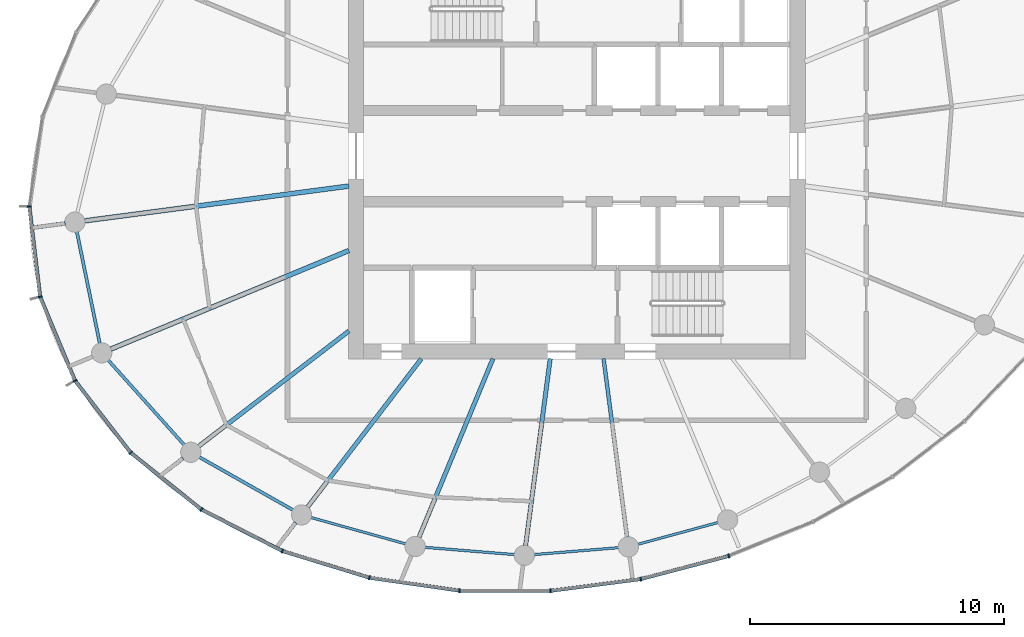
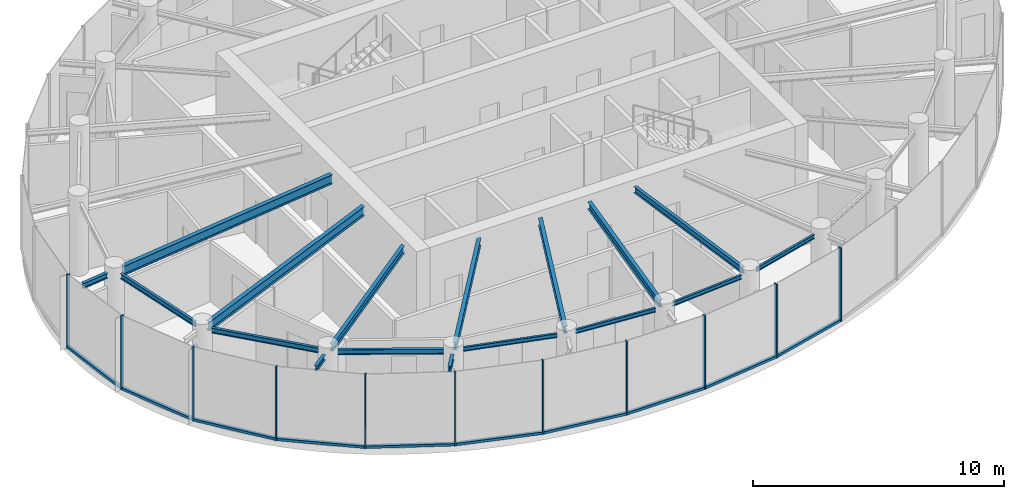
# One storey, part 2 of 13: 21 members, 17 beams, 3 elements without a shape of their own.
"""IFC4 building model written with IfcOpenShell, lengths in metres."""

from ifc_helpers import new_model, si_unit, direction, frame, origin, origin_2d, place, context, subcontext, project, spatial, rectangle, i_section, extrude, source, transform, mapped, material, layer, layer_set, material_profile, profile_set, type_object, element, aggregate, save


model = new_model("IFC4")

# Units and contexts
model_context = context("Model", 3, precision=1e-05, world=origin(), true_north=direction((0.0, 1.0)))
body_context = subcontext(model_context, "Body", "Model", "MODEL_VIEW")
ifc_project = project(units=[si_unit("LENGTHUNIT", "METRE"), si_unit("AREAUNIT", "SQUARE_METRE"), si_unit("VOLUMEUNIT", "CUBIC_METRE"), si_unit("PLANEANGLEUNIT", "RADIAN"), si_unit("MASSUNIT", "GRAM", prefix="KILO")], contexts=[model_context])

# Site, building, storey
site_placement = place(None, origin())
site = spatial("IfcSite", under=ifc_project, at=site_placement, CompositionType="ELEMENT")
building_placement = place(site_placement, origin())
building = spatial("IfcBuilding", under=site, at=building_placement, Name="Spindrift Exchange Tower", CompositionType="ELEMENT")
storey_placement = place(building_placement, frame((0.0, 0.0, 257.89990234375)))
storey = spatial("IfcBuildingStorey", under=building, at=storey_placement, Name="L63", CompositionType="ELEMENT", Elevation=257.89990234375)

# Beams
ifc_material_1 = material(Name="Steel Grade 300", Category="steel")
ifc_material_profile_1 = material_profile(ifc_material_1, i_section(OverallWidth=0.18994140625, OverallDepth=0.4541015625, WebThickness=0.008544921875, FlangeThickness=0.0126953125, FilletRadius=0.013916015625, at=origin_2d()), Name="460UB67.1")
ifc_profile_set_1 = profile_set([ifc_material_profile_1], Name="Steel Grade 300")
beam_type_1 = type_object("IfcBeamType", Name="Floor Beam 460UB67.1 Steel Grade 300", PredefinedType="BEAM", material=ifc_profile_set_1)
shared_shape_1 = source(origin(), body_context, "Body", "SweptSolid", [
    extrude(i_section(OverallWidth=0.18994140625, OverallDepth=0.4541015625, WebThickness=0.008544921875, FlangeThickness=0.0126953125, FilletRadius=0.013916015625, at=origin_2d()), origin(), (0.0, 0.0, 1.0), 10.510009765625),
])
beam_1_placement = place(storey_placement, frame((43.019775390625, 46.817626953125, 3.35302734375), z_axis=(-0.991445042488, -0.130524816516, 0.0), x_axis=(0.130524816516, -0.991445042488, 0.0)))
element("IfcBeam", 1, at=beam_1_placement, inside=storey, type_object=beam_type_1, Name="L63 radial beam R13A", PredefinedType="BEAM", context=body_context, shape_type="MappedRepresentation", body=[
    mapped(shared_shape_1, transform((0.0, 0.0, 0.0), scale=1.0)),
])
shared_shape_2 = source(origin(), body_context, "Body", "SweptSolid", [
    extrude(i_section(OverallWidth=0.18994140625, OverallDepth=0.4541015625, WebThickness=0.008544921875, FlangeThickness=0.0126953125, FilletRadius=0.013916015625, at=origin_2d()), origin(), (0.0, 0.0, 1.0), 10.160400390625),
])
beam_2_placement = place(storey_placement, frame((43.0185546875, 44.27978515625, 3.35302734375), z_axis=(-0.923880358773, -0.382681437588, 0.0), x_axis=(0.382681437588, -0.923880358773, 0.0)))
element("IfcBeam", 2, at=beam_2_placement, inside=storey, type_object=beam_type_1, Name="L63 radial beam R14A", PredefinedType="BEAM", context=body_context, shape_type="MappedRepresentation", body=[
    mapped(shared_shape_2, transform((0.0, 0.0, 0.0), scale=1.0)),
])
ifc_material_profile_2 = material_profile(ifc_material_1, i_section(OverallWidth=0.1708984375, OverallDepth=0.35205078125, WebThickness=0.0068359375, FlangeThickness=0.009765625, FilletRadius=0.013916015625, at=origin_2d()), Name="360UB44.7")
ifc_profile_set_2 = profile_set([ifc_material_profile_2], Name="Steel Grade 300")
beam_type_2 = type_object("IfcBeamType", Name="Floor Beam 360UB44.7 Steel Grade 300", PredefinedType="BEAM", material=ifc_profile_set_2)
shared_shape_3 = source(origin(), body_context, "Body", "SweptSolid", [
    extrude(i_section(OverallWidth=0.1708984375, OverallDepth=0.35205078125, WebThickness=0.0068359375, FlangeThickness=0.009765625, FilletRadius=0.013916015625, at=origin_2d()), origin(), (0.0, 0.0, 1.0), 7.466796875),
])
beam_3_placement = place(storey_placement, frame((43.015869140625, 41.106201171875, 3.404052734375), z_axis=(-0.793360004804, -0.608752743548, 0.0), x_axis=(0.608752743548, -0.793360004804, 0.0)))
element("IfcBeam", 3, at=beam_3_placement, inside=storey, type_object=beam_type_2, Name="L63 radial beam R15A", PredefinedType="BEAM", context=body_context, shape_type="MappedRepresentation", body=[
    mapped(shared_shape_3, transform((0.0, 0.0, 0.0), scale=1.0)),
])
shared_shape_4 = source(origin(), body_context, "Body", "SweptSolid", [
    extrude(i_section(OverallWidth=0.1708984375, OverallDepth=0.35205078125, WebThickness=0.0068359375, FlangeThickness=0.009765625, FilletRadius=0.013916015625, at=origin_2d()), origin(), (0.0, 0.0, 1.0), 7.3740234375),
])
beam_4_placement = place(storey_placement, frame((45.87353515625, 40.015869140625, 3.404052734375), z_axis=(-0.608751913917, -0.793360641387, 0.0), x_axis=(0.793360641387, -0.608751913917, 0.0)))
element("IfcBeam", 4, at=beam_4_placement, inside=storey, type_object=beam_type_2, Name="L63 radial beam R16A", PredefinedType="BEAM", context=body_context, shape_type="MappedRepresentation", body=[
    mapped(shared_shape_4, transform((0.0, 0.0, 0.0), scale=1.0)),
])
shared_shape_5 = source(origin(), body_context, "Body", "SweptSolid", [
    extrude(i_section(OverallWidth=0.1708984375, OverallDepth=0.35205078125, WebThickness=0.0068359375, FlangeThickness=0.009765625, FilletRadius=0.013916015625, at=origin_2d()), origin(), (0.0, 0.0, 1.0), 7.630859375),
])
beam_5_placement = place(storey_placement, frame((48.69384765625, 40.0185546875, 3.404052734375), z_axis=(-0.382676740702, -0.92388230426, 0.0), x_axis=(0.92388230426, -0.382676740702, 0.0)))
element("IfcBeam", 5, at=beam_5_placement, inside=storey, type_object=beam_type_2, Name="L63 radial beam R17A", PredefinedType="BEAM", context=body_context, shape_type="MappedRepresentation", body=[
    mapped(shared_shape_5, transform((0.0, 0.0, 0.0), scale=1.0)),
])
shared_shape_6 = source(origin(), body_context, "Body", "SweptSolid", [
    extrude(i_section(OverallWidth=0.1708984375, OverallDepth=0.35205078125, WebThickness=0.0068359375, FlangeThickness=0.009765625, FilletRadius=0.013916015625, at=origin_2d()), origin(), (0.0, 0.0, 1.0), 7.43798828125),
])
beam_6_placement = place(storey_placement, frame((50.949462890625, 40.019775390625, 3.404052734375), z_axis=(-0.130540269579, -0.991443007953, 0.0), x_axis=(0.991443007953, -0.130540269579, 0.0)))
element("IfcBeam", 6, at=beam_6_placement, inside=storey, type_object=beam_type_2, Name="L63 radial beam R18A", PredefinedType="BEAM", context=body_context, shape_type="MappedRepresentation", body=[
    mapped(shared_shape_6, transform((0.0, 0.0, 0.0), scale=1.0)),
])
ifc_material_profile_3 = material_profile(ifc_material_1, i_section(OverallWidth=0.14892578125, OverallDepth=0.298095703125, WebThickness=0.005615234375, FlangeThickness=0.008056640625, FilletRadius=0.012939453125, at=origin_2d()), Name="310UB32.0")
ifc_profile_set_3 = profile_set([ifc_material_profile_3], Name="Steel Grade 300")
beam_type_3 = type_object("IfcBeamType", Name="Floor Beam 310UB32.0 Steel Grade 300", PredefinedType="BEAM", material=ifc_profile_set_3)
shared_shape_7 = source(origin(), body_context, "Body", "SweptSolid", [
    extrude(i_section(OverallWidth=0.14892578125, OverallDepth=0.298095703125, WebThickness=0.005615234375, FlangeThickness=0.008056640625, FilletRadius=0.012939453125, at=origin_2d()), origin(), (0.0, 0.0, 1.0), 7.099853515625),
])
beam_7_placement = place(storey_placement, frame((53.050537109375, 40.019775390625, 3.43115234375), z_axis=(0.130532789835, -0.991443992759, 0.0), x_axis=(0.991443992759, 0.130532789835, 0.0)))
element("IfcBeam", 7, at=beam_7_placement, inside=storey, type_object=beam_type_3, Name="L63 radial beam R19A", PredefinedType="BEAM", context=body_context, shape_type="MappedRepresentation", body=[
    mapped(shared_shape_7, transform((0.0, 0.0, 0.0), scale=1.0)),
])
ifc_material_profile_4 = material_profile(ifc_material_1, i_section(OverallWidth=0.1240234375, OverallDepth=0.248046875, WebThickness=0.0048828125, FlangeThickness=0.008056640625, FilletRadius=0.011962890625, at=origin_2d()), Name="250UB25.7")
ifc_profile_set_4 = profile_set([ifc_material_profile_4], Name="Steel Grade 300")
beam_type_4 = type_object("IfcBeamType", Name="Edge Beam 250UB25.7 Steel Grade 300", PredefinedType="SPANDREL", material=ifc_profile_set_4)
shared_shape_8 = source(origin(), body_context, "Body", "SweptSolid", [
    extrude(i_section(OverallWidth=0.1240234375, OverallDepth=0.248046875, WebThickness=0.0048828125, FlangeThickness=0.008056640625, FilletRadius=0.011962890625, at=origin_2d()), origin(), (0.0, 0.0, 1.0), 4.497802734375),
])
beam_8_placement = place(storey_placement, frame((32.299072265625, 45.024169921875, 3.4560546875), z_axis=(0.201217935785, -0.979546498293, 0.0), x_axis=(0.979546498293, 0.201217935785, 0.0)))
element("IfcBeam", 8, at=beam_8_placement, inside=storey, type_object=beam_type_4, Name="L63 edge beam E13", PredefinedType="SPANDREL", context=body_context, shape_type="MappedRepresentation", body=[
    mapped(shared_shape_8, transform((0.0, 0.0, 0.0), scale=1.0)),
])
shared_shape_9 = source(origin(), body_context, "Body", "SweptSolid", [
    extrude(i_section(OverallWidth=0.1240234375, OverallDepth=0.248046875, WebThickness=0.0048828125, FlangeThickness=0.008056640625, FilletRadius=0.011962890625, at=origin_2d()), origin(), (0.0, 0.0, 1.0), 4.499755859375),
])
beam_9_placement = place(storey_placement, frame((33.533935546875, 39.963134765625, 3.4560546875), z_axis=(0.667419502646, -0.744681950558, 0.0), x_axis=(0.744681950558, 0.667419502646, 0.0)))
element("IfcBeam", 9, at=beam_9_placement, inside=storey, type_object=beam_type_4, Name="L63 edge beam E14", PredefinedType="SPANDREL", context=body_context, shape_type="MappedRepresentation", body=[
    mapped(shared_shape_9, transform((0.0, 0.0, 0.0), scale=1.0)),
])
shared_shape_10 = source(origin(), body_context, "Body", "SweptSolid", [
    extrude(i_section(OverallWidth=0.1240234375, OverallDepth=0.248046875, WebThickness=0.0048828125, FlangeThickness=0.008056640625, FilletRadius=0.011962890625, at=origin_2d()), origin(), (0.0, 0.0, 1.0), 4.2509765625),
])
beam_10_placement = place(storey_placement, frame((37.121337890625, 36.142333984375, 3.4560546875), z_axis=(0.870615246867, -0.491964523033, 0.0), x_axis=(0.491964523033, 0.870615246867, 0.0)))
element("IfcBeam", 10, at=beam_10_placement, inside=storey, type_object=beam_type_4, Name="L63 edge beam E15", PredefinedType="SPANDREL", context=body_context, shape_type="MappedRepresentation", body=[
    mapped(shared_shape_10, transform((0.0, 0.0, 0.0), scale=1.0)),
])
ifc_material_profile_5 = material_profile(ifc_material_1, i_section(OverallWidth=0.09912109375, OverallDepth=0.197998046875, WebThickness=0.00439453125, FlangeThickness=0.007080078125, FilletRadius=0.010986328125, at=origin_2d()), Name="200UB18.2")
ifc_profile_set_5 = profile_set([ifc_material_profile_5], Name="Steel Grade 300")
beam_type_5 = type_object("IfcBeamType", Name="Edge Beam 200UB18.2 Steel Grade 300", PredefinedType="SPANDREL", material=ifc_profile_set_5)
shared_shape_11 = source(origin(), body_context, "Body", "SweptSolid", [
    extrude(i_section(OverallWidth=0.09912109375, OverallDepth=0.197998046875, WebThickness=0.00439453125, FlangeThickness=0.007080078125, FilletRadius=0.010986328125, at=origin_2d()), origin(), (0.0, 0.0, 1.0), 3.885498046875),
])
beam_11_placement = place(storey_placement, frame((41.519287109375, 33.761962890625, 3.481201171875), z_axis=(0.963333134661, -0.268308165482, 0.0), x_axis=(0.268308165482, 0.963333134661, 0.0)))
element("IfcBeam", 11, at=beam_11_placement, inside=storey, type_object=beam_type_5, Name="L63 edge beam E16", PredefinedType="SPANDREL", context=body_context, shape_type="MappedRepresentation", body=[
    mapped(shared_shape_11, transform((0.0, 0.0, 0.0), scale=1.0)),
])
shared_shape_12 = source(origin(), body_context, "Body", "SweptSolid", [
    extrude(i_section(OverallWidth=0.09912109375, OverallDepth=0.197998046875, WebThickness=0.00439453125, FlangeThickness=0.007080078125, FilletRadius=0.010986328125, at=origin_2d()), origin(), (0.0, 0.0, 1.0), 3.5546875),
])
beam_12_placement = place(storey_placement, frame((46.007080078125, 32.586669921875, 3.481201171875), z_axis=(0.996727103969, -0.080839842983, 0.0), x_axis=(0.080839842983, 0.996727103969, 0.0)))
element("IfcBeam", 12, at=beam_12_placement, inside=storey, type_object=beam_type_5, Name="L63 edge beam E17", PredefinedType="SPANDREL", context=body_context, shape_type="MappedRepresentation", body=[
    mapped(shared_shape_12, transform((0.0, 0.0, 0.0), scale=1.0)),
])
shared_shape_13 = source(origin(), body_context, "Body", "SweptSolid", [
    extrude(i_section(OverallWidth=0.09912109375, OverallDepth=0.197998046875, WebThickness=0.00439453125, FlangeThickness=0.007080078125, FilletRadius=0.010986328125, at=origin_2d()), origin(), (0.0, 0.0, 1.0), 3.351806640625),
])
beam_13_placement = place(storey_placement, frame((50.3076171875, 32.2998046875, 3.481201171875), z_axis=(0.996672670999, 0.081508201334, 0.0), x_axis=(-0.081508201334, 0.996672670999, 0.0)))
element("IfcBeam", 13, at=beam_13_placement, inside=storey, type_object=beam_type_5, Name="L63 edge beam E18", PredefinedType="SPANDREL", context=body_context, shape_type="MappedRepresentation", body=[
    mapped(shared_shape_13, transform((0.0, 0.0, 0.0), scale=1.0)),
])
shared_shape_14 = source(origin(), body_context, "Body", "SweptSolid", [
    extrude(i_section(OverallWidth=0.09912109375, OverallDepth=0.197998046875, WebThickness=0.00439453125, FlangeThickness=0.007080078125, FilletRadius=0.010986328125, at=origin_2d()), origin(), (0.0, 0.0, 1.0), 3.2919921875),
])
beam_14_placement = place(storey_placement, frame((54.3935546875, 32.70361328125, 3.481201171875), z_axis=(0.965045644564, 0.262081864896, 0.0), x_axis=(-0.262081864896, 0.965045644564, 0.0)))
element("IfcBeam", 14, at=beam_14_placement, inside=storey, type_object=beam_type_5, Name="L63 edge beam E19", PredefinedType="SPANDREL", context=body_context, shape_type="MappedRepresentation", body=[
    mapped(shared_shape_14, transform((0.0, 0.0, 0.0), scale=1.0)),
])
ifc_material_profile_6 = material_profile(ifc_material_1, i_section(OverallWidth=0.14599609375, OverallDepth=0.251953125, WebThickness=0.006103515625, FlangeThickness=0.008544921875, FilletRadius=0.011962890625, at=origin_2d()), Name="250UB31.4")
ifc_profile_set_6 = profile_set([ifc_material_profile_6], Name="Steel Grade 300")
beam_type_6 = type_object("IfcBeamType", Name="Cantilever Beam 250UB31.4 Steel Grade 300", PredefinedType="BEAM", material=ifc_profile_set_6)
shared_shape_15 = source(origin(), body_context, "Body", "SweptSolid", [
    extrude(i_section(OverallWidth=0.14599609375, OverallDepth=0.251953125, WebThickness=0.006103515625, FlangeThickness=0.008544921875, FilletRadius=0.011962890625, at=origin_2d()), origin(), (0.0, 0.0, 1.0), 1.233154296875),
])
beam_15_placement = place(storey_placement, frame((31.845947265625, 45.3466796875, 3.4541015625), z_axis=(-0.991452947812, -0.130464754914, 0.0), x_axis=(0.130464754914, -0.991452947812, 0.0)))
element("IfcBeam", 15, at=beam_15_placement, inside=storey, type_object=beam_type_6, Name="L63 cantilever beam R13T", PredefinedType="BEAM", context=body_context, shape_type="MappedRepresentation", body=[
    mapped(shared_shape_15, transform((0.0, 0.0, 0.0), scale=1.0)),
])
shared_shape_16 = source(origin(), body_context, "Body", "SweptSolid", [
    extrude(i_section(OverallWidth=0.14599609375, OverallDepth=0.251953125, WebThickness=0.006103515625, FlangeThickness=0.008544921875, FilletRadius=0.011962890625, at=origin_2d()), origin(), (0.0, 0.0, 1.0), 0.88232421875),
])
beam_16_placement = place(storey_placement, frame((36.489013671875, 36.09814453125, 3.4541015625), z_axis=(-0.793209872891, -0.608948353761, 0.0), x_axis=(0.608948353761, -0.793209872891, 0.0)))
element("IfcBeam", 16, at=beam_16_placement, inside=storey, type_object=beam_type_6, Name="L63 cantilever beam R15T", PredefinedType="BEAM", context=body_context, shape_type="MappedRepresentation", body=[
    mapped(shared_shape_16, transform((0.0, 0.0, 0.0), scale=1.0)),
])
shared_shape_17 = source(origin(), body_context, "Body", "SweptSolid", [
    extrude(i_section(OverallWidth=0.14599609375, OverallDepth=0.251953125, WebThickness=0.006103515625, FlangeThickness=0.008544921875, FilletRadius=0.011962890625, at=origin_2d()), origin(), (0.0, 0.0, 1.0), 0.895263671875),
])
beam_17_placement = place(storey_placement, frame((40.921630859375, 33.5625, 3.4541015625), z_axis=(-0.608603261071, -0.793474681772, 0.0), x_axis=(0.793474681772, -0.608603261071, 0.0)))
element("IfcBeam", 17, at=beam_17_placement, inside=storey, type_object=beam_type_6, Name="L63 cantilever beam R16T", PredefinedType="BEAM", context=body_context, shape_type="MappedRepresentation", body=[
    mapped(shared_shape_17, transform((0.0, 0.0, 0.0), scale=1.0)),
])

# Curtain wall, members
ifc_material_2 = material(Name="Fritted laminated glass with bronze frame", Category="glass")
ifc_layer = layer(ifc_material_2, 0.159912109375)
ifc_layer_set = layer_set([ifc_layer], Name="ZONE 5 BRONZE FRITTED WALL")
curtain_wall_type = type_object("IfcCurtainWallType", Name="ZONE 5 BRONZE FRITTED WALL", PredefinedType="NOTDEFINED", material=ifc_layer_set)
curtain_wall_1_placement = place(storey_placement, origin())
curtain_wall_1 = element("IfcCurtainWall", 18, at=curtain_wall_1_placement, inside=storey, type_object=curtain_wall_type, Name="L63 Zone 5 Bronze Fritted Wall run 3", PredefinedType="NOTDEFINED")
ifc_material_3 = material(Name="Bronze anodised aluminium", Category="aluminium")
ifc_material_profile_7 = material_profile(ifc_material_3, rectangle(XDim=0.06005859375, YDim=0.159912109375, at=origin_2d()), Name="ZONE 5 BRONZE FRITTED WALL MULLION 60X160")
ifc_profile_set_7 = profile_set([ifc_material_profile_7], Name="Bronze anodised aluminium")
member_type_1 = type_object("IfcMemberType", Name="ZONE 5 BRONZE FRITTED WALL MULLION 60X160", PredefinedType="MULLION", material=ifc_profile_set_7)
shared_shape_18 = source(origin(), body_context, "Body", "SweptSolid", [
    extrude(rectangle(XDim=0.06005859375, YDim=0.159912109375, at=origin_2d()), origin(), (0.0, 0.0, 1.0), 3.580078125),
])
member_1_placement = place(storey_placement, frame((30.431396484375, 46.006591796875, 0.0), z_axis=(0.0, 0.0, 1.0), x_axis=(-0.013033112617, -0.999915065381, 0.0)))
member_1 = element("IfcMember", 19, at=member_1_placement, type_object=member_type_1, Name="L63 mullion CW-5.17", PredefinedType="MULLION", context=body_context, shape_type="MappedRepresentation", body=[
    mapped(shared_shape_18, transform((0.0, 0.0, 0.0), scale=1.0)),
])
member_2_placement = place(storey_placement, frame((30.855712890625, 42.454345703125, 0.0), z_axis=(0.0, 0.0, 1.0), x_axis=(0.253690954147, -0.967285324909, 0.0)))
member_2 = element("IfcMember", 20, at=member_2_placement, type_object=member_type_1, Name="L63 mullion CW-5.18", PredefinedType="MULLION", context=body_context, shape_type="MappedRepresentation", body=[
    mapped(shared_shape_18, transform((0.0, 0.0, 0.0), scale=1.0)),
])

curtain_wall_2_placement = place(storey_placement, origin())
curtain_wall_2 = element("IfcCurtainWall", 21, at=curtain_wall_2_placement, inside=storey, type_object=curtain_wall_type, Name="L63 Zone 5 Bronze Fritted Wall run 4", PredefinedType="NOTDEFINED")
member_3_placement = place(storey_placement, frame((32.2294921875, 39.151123046875, 0.0), z_axis=(0.0, 0.0, 1.0), x_axis=(0.502108330094, -0.864804732208, 0.0)))
member_3 = element("IfcMember", 22, at=member_3_placement, type_object=member_type_1, Name="L63 mullion CW-5.19", PredefinedType="MULLION", context=body_context, shape_type="MappedRepresentation", body=[
    mapped(shared_shape_18, transform((0.0, 0.0, 0.0), scale=1.0)),
])
member_4_placement = place(storey_placement, frame((34.418212890625, 36.319091796875, 0.0), z_axis=(0.0, 0.0, 1.0), x_axis=(0.700241766893, -0.713905783629, 0.0)))
member_4 = element("IfcMember", 23, at=member_4_placement, type_object=member_type_1, Name="L63 mullion CW-5.20", PredefinedType="MULLION", context=body_context, shape_type="MappedRepresentation", body=[
    mapped(shared_shape_18, transform((0.0, 0.0, 0.0), scale=1.0)),
])
member_5_placement = place(storey_placement, frame((37.209228515625, 34.07470703125, 0.0), z_axis=(0.0, 0.0, 1.0), x_axis=(0.838988185379, -0.544149634562, 0.0)))
member_5 = element("IfcMember", 24, at=member_5_placement, type_object=member_type_1, Name="L63 mullion CW-5.21", PredefinedType="MULLION", context=body_context, shape_type="MappedRepresentation", body=[
    mapped(shared_shape_18, transform((0.0, 0.0, 0.0), scale=1.0)),
])
member_6_placement = place(storey_placement, frame((40.398193359375, 32.440673828125, 0.0), z_axis=(0.0, 0.0, 1.0), x_axis=(0.926595645909, -0.376059182819, 0.0)))
member_6 = element("IfcMember", 25, at=member_6_placement, type_object=member_type_1, Name="L63 mullion CW-5.22", PredefinedType="MULLION", context=body_context, shape_type="MappedRepresentation", body=[
    mapped(shared_shape_18, transform((0.0, 0.0, 0.0), scale=1.0)),
])
member_7_placement = place(storey_placement, frame((43.825439453125, 31.3896484375, 0.0), z_axis=(0.0, 0.0, 1.0), x_axis=(0.975881848928, -0.21829937456, 0.0)))
member_7 = element("IfcMember", 26, at=member_7_placement, type_object=member_type_1, Name="L63 mullion CW-5.23", PredefinedType="MULLION", context=body_context, shape_type="MappedRepresentation", body=[
    mapped(shared_shape_18, transform((0.0, 0.0, 0.0), scale=1.0)),
])
member_8_placement = place(storey_placement, frame((47.37451171875, 30.880126953125, 0.0), z_axis=(0.0, 0.0, 1.0), x_axis=(0.99738378234, -0.072288247493, 0.0)))
member_8 = element("IfcMember", 27, at=member_8_placement, type_object=member_type_1, Name="L63 mullion CW-5.24", PredefinedType="MULLION", context=body_context, shape_type="MappedRepresentation", body=[
    mapped(shared_shape_18, transform((0.0, 0.0, 0.0), scale=1.0)),
])

curtain_wall_3_placement = place(storey_placement, origin())
curtain_wall_3 = element("IfcCurtainWall", 28, at=curtain_wall_3_placement, inside=storey, type_object=curtain_wall_type, Name="L63 Zone 5 Bronze Fritted Wall run 5", PredefinedType="NOTDEFINED")
member_9_placement = place(storey_placement, frame((50.960693359375, 30.87255859375, 0.0), z_axis=(0.0, 0.0, 1.0), x_axis=(0.99797802039, 0.063559978126, 0.0)))
member_9 = element("IfcMember", 29, at=member_9_placement, type_object=member_type_1, Name="L63 mullion CW-5.25", PredefinedType="MULLION", context=body_context, shape_type="MappedRepresentation", body=[
    mapped(shared_shape_18, transform((0.0, 0.0, 0.0), scale=1.0)),
])
member_10_placement = place(storey_placement, frame((54.516845703125, 31.3349609375, 0.0), z_axis=(0.0, 0.0, 1.0), x_axis=(0.981451727624, 0.191709432067, 0.0)))
member_10 = element("IfcMember", 30, at=member_10_placement, type_object=member_type_1, Name="L63 mullion CW-5.26", PredefinedType="MULLION", context=body_context, shape_type="MappedRepresentation", body=[
    mapped(shared_shape_18, transform((0.0, 0.0, 0.0), scale=1.0)),
])
member_11_placement = place(storey_placement, frame((57.986083984375, 32.244873046875, 0.0), z_axis=(0.0, 0.0, 1.0), x_axis=(0.949212278989, 0.314636376498, 0.0)))
member_11 = element("IfcMember", 31, at=member_11_placement, type_object=member_type_1, Name="L63 mullion CW-5.27", PredefinedType="MULLION", context=body_context, shape_type="MappedRepresentation", body=[
    mapped(shared_shape_18, transform((0.0, 0.0, 0.0), scale=1.0)),
])
ifc_material_profile_8 = material_profile(ifc_material_3, rectangle(XDim=0.139892578125, YDim=0.1201171875, at=origin_2d()), Name="ZONE 5 BRONZE FRITTED WALL TRANSOM 140X120")
ifc_profile_set_8 = profile_set([ifc_material_profile_8], Name="Bronze anodised aluminium")
member_type_2 = type_object("IfcMemberType", Name="ZONE 5 BRONZE FRITTED WALL TRANSOM 140X120", PredefinedType="USERDEFINED", material=ifc_profile_set_8)
shared_shape_19 = source(origin(), body_context, "Body", "SweptSolid", [
    extrude(rectangle(XDim=0.139892578125, YDim=0.1201171875, at=origin_2d()), origin(), (0.0, 0.0, 1.0), 3.5263671875),
])
member_12_placement = place(storey_placement, frame((50.990234375, 30.87646484375, 0.06005859375), z_axis=(0.991655528833, 0.1289159111, 0.0), x_axis=(-0.1289159111, 0.991655528833, 0.0)))
member_12 = element("IfcMember", 32, at=member_12_placement, type_object=member_type_2, Name="L63 transom CW-5.25", ObjectType="TRANSOM", PredefinedType="USERDEFINED", context=body_context, shape_type="MappedRepresentation", body=[
    mapped(shared_shape_19, transform((0.0, 0.0, 0.0), scale=1.0)),
])

# Member
shared_shape_20 = source(origin(), body_context, "Body", "SweptSolid", [
    extrude(rectangle(XDim=0.139892578125, YDim=0.1201171875, at=origin_2d()), origin(), (0.0, 0.0, 1.0), 3.524658203125),
])
member_13_placement = place(storey_placement, frame((40.427001953125, 32.431884765625, 0.06005859375), z_axis=(0.956052654973, -0.293195021988, 0.0), x_axis=(0.293195021988, 0.956052654973, 0.0)))
member_13 = element("IfcMember", 33, at=member_13_placement, type_object=member_type_2, Name="L63 transom CW-5.22", ObjectType="TRANSOM", PredefinedType="USERDEFINED", context=body_context, shape_type="MappedRepresentation", body=[
    mapped(shared_shape_20, transform((0.0, 0.0, 0.0), scale=1.0)),
])

shared_shape_21 = source(origin(), body_context, "Body", "SweptSolid", [
    extrude(rectangle(XDim=0.139892578125, YDim=0.1201171875, at=origin_2d()), origin(), (0.0, 0.0, 1.0), 3.521484375),
])
member_14_placement = place(storey_placement, frame((34.44140625, 36.30029296875, 0.06005859375), z_axis=(0.779303974993, -0.626646083975, 0.0), x_axis=(0.626646083975, 0.779303974993, 0.0)))
member_14 = element("IfcMember", 34, at=member_14_placement, type_object=member_type_2, Name="L63 transom CW-5.20", ObjectType="TRANSOM", PredefinedType="USERDEFINED", context=body_context, shape_type="MappedRepresentation", body=[
    mapped(shared_shape_21, transform((0.0, 0.0, 0.0), scale=1.0)),
])

shared_shape_22 = source(origin(), body_context, "Body", "SweptSolid", [
    extrude(rectangle(XDim=0.139892578125, YDim=0.1201171875, at=origin_2d()), origin(), (0.0, 0.0, 1.0), 3.519287109375),
])
member_15_placement = place(storey_placement, frame((32.247802734375, 39.12744140625, 0.06005859375), z_axis=(0.611459347478, -0.791275847213, 0.0), x_axis=(0.791275847213, 0.611459347478, 0.0)))
member_15 = element("IfcMember", 35, at=member_15_placement, type_object=member_type_2, Name="L63 transom CW-5.19", ObjectType="TRANSOM", PredefinedType="USERDEFINED", context=body_context, shape_type="MappedRepresentation", body=[
    mapped(shared_shape_22, transform((0.0, 0.0, 0.0), scale=1.0)),
])

shared_shape_23 = source(origin(), body_context, "Body", "SweptSolid", [
    extrude(rectangle(XDim=0.139892578125, YDim=0.1201171875, at=origin_2d()), origin(), (0.0, 0.0, 1.0), 3.526123046875),
])
member_16_placement = place(storey_placement, frame((47.404541015625, 30.880126953125, 0.06005859375), z_axis=(0.999997696559, -0.002146363539, 0.0), x_axis=(0.002146363539, 0.999997696559, 0.0)))
member_16 = element("IfcMember", 36, at=member_16_placement, type_object=member_type_2, Name="L63 transom CW-5.24", ObjectType="TRANSOM", PredefinedType="USERDEFINED", context=body_context, shape_type="MappedRepresentation", body=[
    mapped(shared_shape_23, transform((0.0, 0.0, 0.0), scale=1.0)),
])

shared_shape_24 = source(origin(), body_context, "Body", "SweptSolid", [
    extrude(rectangle(XDim=0.139892578125, YDim=0.1201171875, at=origin_2d()), origin(), (0.0, 0.0, 1.0), 3.5234375),
])
member_17_placement = place(storey_placement, frame((37.23583984375, 34.06103515625, 0.06005859375), z_axis=(0.889976839701, -0.456005728906, 0.0), x_axis=(0.456005728906, 0.889976839701, 0.0)))
member_17 = element("IfcMember", 37, at=member_17_placement, type_object=member_type_2, Name="L63 transom CW-5.21", ObjectType="TRANSOM", PredefinedType="USERDEFINED", context=body_context, shape_type="MappedRepresentation", body=[
    mapped(shared_shape_24, transform((0.0, 0.0, 0.0), scale=1.0)),
])

shared_shape_25 = source(origin(), body_context, "Body", "SweptSolid", [
    extrude(rectangle(XDim=0.139892578125, YDim=0.1201171875, at=origin_2d()), origin(), (0.0, 0.0, 1.0), 3.517578125),
])
member_18_placement = place(storey_placement, frame((30.43505859375, 45.976806640625, 0.06005859375), z_axis=(0.118548554606, -0.992948256558, 0.0), x_axis=(0.992948256558, 0.118548554606, 0.0)))
member_18 = element("IfcMember", 38, at=member_18_placement, type_object=member_type_2, Name="L63 transom CW-5.17", ObjectType="TRANSOM", PredefinedType="USERDEFINED", context=body_context, shape_type="MappedRepresentation", body=[
    mapped(shared_shape_25, transform((0.0, 0.0, 0.0), scale=1.0)),
])

member_19_placement = place(storey_placement, frame((30.8671875, 42.4267578125, 0.06005859375), z_axis=(0.384028838515, -0.923321098637, 0.0), x_axis=(0.923321098637, 0.384028838515, 0.0)))
member_19 = element("IfcMember", 39, at=member_19_placement, type_object=member_type_2, Name="L63 transom CW-5.18", ObjectType="TRANSOM", PredefinedType="USERDEFINED", context=body_context, shape_type="MappedRepresentation", body=[
    mapped(shared_shape_25, transform((0.0, 0.0, 0.0), scale=1.0)),
])

aggregate(curtain_wall_1, [member_1, member_18, member_2, member_19])

shared_shape_26 = source(origin(), body_context, "Body", "SweptSolid", [
    extrude(rectangle(XDim=0.139892578125, YDim=0.1201171875, at=origin_2d()), origin(), (0.0, 0.0, 1.0), 3.525634765625),
])
member_20_placement = place(storey_placement, frame((43.855224609375, 31.38525390625, 0.06005859375), z_axis=(0.989852311748, -0.142099968078, 0.0), x_axis=(0.142099968078, 0.989852311748, 0.0)))
member_20 = element("IfcMember", 40, at=member_20_placement, type_object=member_type_2, Name="L63 transom CW-5.23", ObjectType="TRANSOM", PredefinedType="USERDEFINED", context=body_context, shape_type="MappedRepresentation", body=[
    mapped(shared_shape_26, transform((0.0, 0.0, 0.0), scale=1.0)),
])

aggregate(curtain_wall_2, [member_3, member_15, member_4, member_14, member_5, member_17, member_6, member_13, member_7, member_20, member_8, member_16])

shared_shape_27 = source(origin(), body_context, "Body", "SweptSolid", [
    extrude(rectangle(XDim=0.139892578125, YDim=0.1201171875, at=origin_2d()), origin(), (0.0, 0.0, 1.0), 3.526611328125),
])
member_21_placement = place(storey_placement, frame((54.5458984375, 31.342529296875, 0.06005859375), z_axis=(0.967276003534, 0.253726492482, 0.0), x_axis=(-0.253726492482, 0.967276003534, 0.0)))
member_21 = element("IfcMember", 41, at=member_21_placement, type_object=member_type_2, Name="L63 transom CW-5.26", ObjectType="TRANSOM", PredefinedType="USERDEFINED", context=body_context, shape_type="MappedRepresentation", body=[
    mapped(shared_shape_27, transform((0.0, 0.0, 0.0), scale=1.0)),
])

aggregate(curtain_wall_3, [member_9, member_12, member_10, member_21, member_11])

save(model, "model.ifc")
